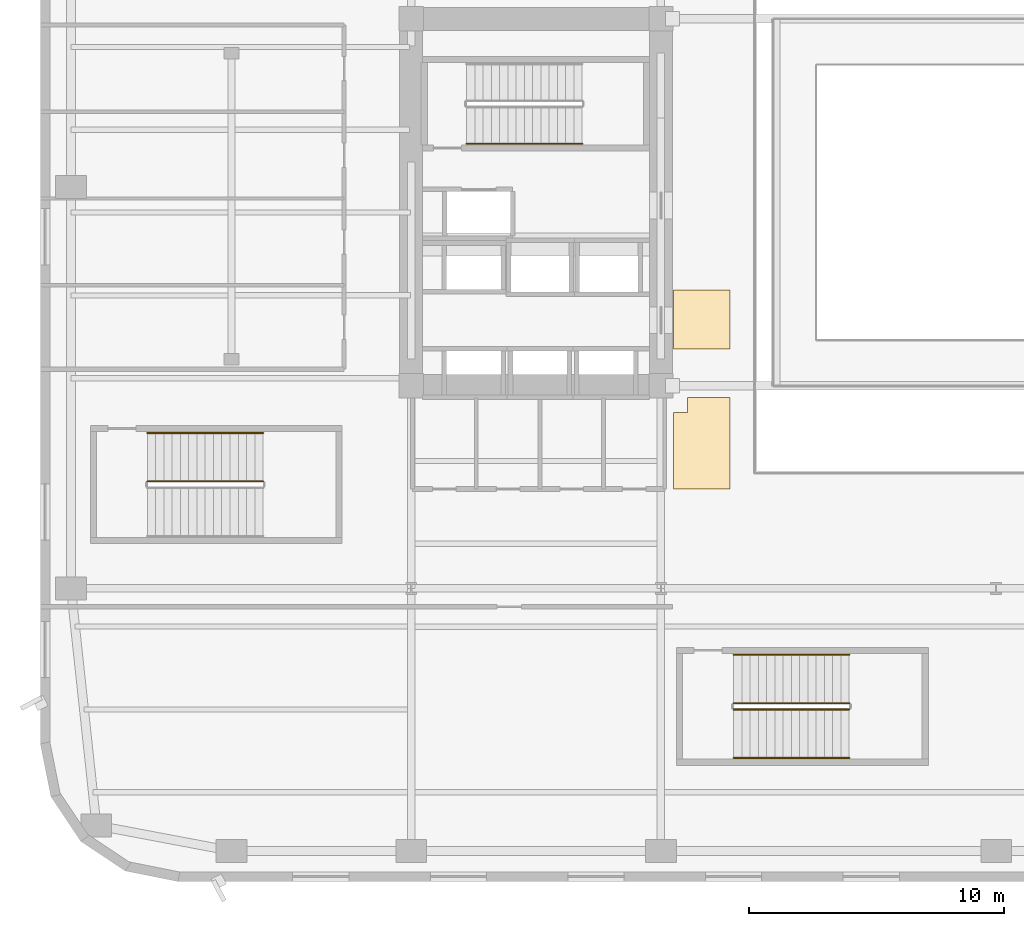
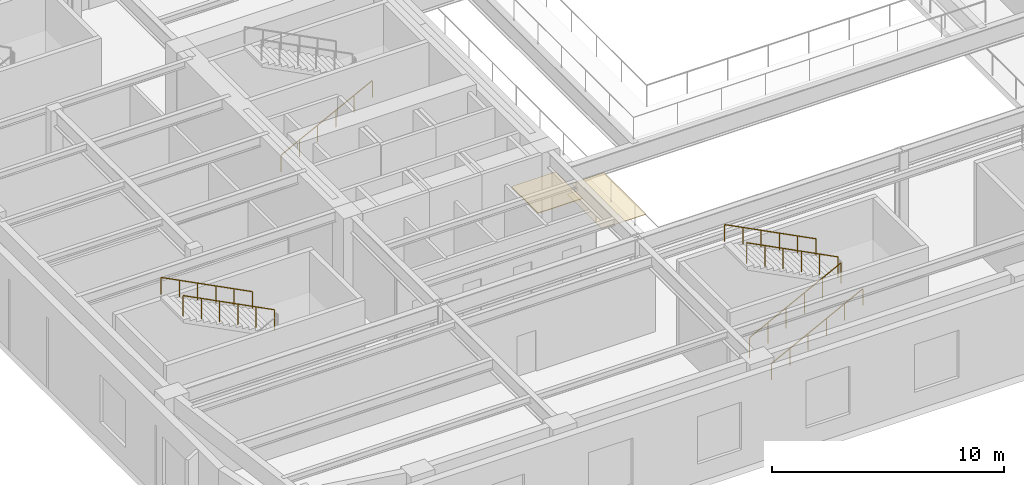
# One storey, part 13 of 21: 7 railings, 2 coverings.
"""IFC4 building model written with IfcOpenShell, lengths in metres."""

import ifcopenshell
import ifcopenshell.guid

model = None  # the IFC model being written
_history = None  # IfcOwnerHistory: only IFC2X3 demands one
_inside = {}  # id of a spatial element -> (the spatial element, [elements in it])
_under = {}  # id of a project, library or spatial element -> (it, [spatial elements below it])
_declared = {}  # id of a project -> (the project, [libraries it declares])
_typed = {}  # id of a type object -> (the type object, [elements of that type])
_made_of = {}  # id of a material, layer set ... -> (it, [elements and type objects made of it])


def new_model(schema):
    """Start an empty IFC model of exactly this schema.

    Asked for "IFC4X3", IfcOpenShell would pick the latest addendum, in which some entities
    have other attributes; the version numbers below select the first issue.
    IFC2X3 requires an IfcOwnerHistory on every rooted entity: one is made here for all.
    """
    global model, _history
    if schema == "IFC4X3":
        model = ifcopenshell.file(schema_version=(4, 3, 0, 0))
    else:
        model = ifcopenshell.file(schema=schema)
    _inside.clear()
    _under.clear()
    _declared.clear()
    _typed.clear()
    _made_of.clear()
    _history = None
    if model.schema == "IFC2X3":
        org = make("IfcOrganization", Name="unknown")
        user = make(
            "IfcPersonAndOrganization",
            ThePerson=make("IfcPerson", FamilyName="unknown"),
            TheOrganization=org,
        )
        app = make(
            "IfcApplication",
            ApplicationDeveloper=org,
            Version="unknown",
            ApplicationFullName="unknown",
            ApplicationIdentifier="unknown",
        )
        _history = make(
            "IfcOwnerHistory",
            OwningUser=user,
            OwningApplication=app,
            ChangeAction="ADDED",
            CreationDate=0,
        )
    return model


def make(cls, **values):
    """One entity of the class cls with the attributes given. An attribute that is None is left unset."""
    return model.create_entity(
        cls, **{name: value for name, value in values.items() if value is not None}
    )


def rooted(cls, **values):
    """An entity with a GlobalId (a new one), such as an element, a storey or a relation."""
    return make(cls, GlobalId=ifcopenshell.guid.new(), OwnerHistory=_history, **values)


def si_unit(unit_type, name, prefix=None):
    """IfcSIUnit, for example si_unit("LENGTHUNIT", "METRE", prefix="MILLI")."""
    return make("IfcSIUnit", UnitType=unit_type, Prefix=prefix, Name=name)


def assignment(units):
    """IfcUnitAssignment: the units of a project."""
    return None if units is None else make("IfcUnitAssignment", Units=units)


def point(xyz):
    """IfcCartesianPoint."""
    return None if xyz is None else make("IfcCartesianPoint", Coordinates=xyz)


def direction(xyz):
    """IfcDirection."""
    return None if xyz is None else make("IfcDirection", DirectionRatios=xyz)


def frame(location, z_axis=None, x_axis=None):
    """IfcAxis2Placement3D, a coordinate frame: its origin and axes. An axis left out is left unset."""
    return make(
        "IfcAxis2Placement3D",
        Location=point(location),
        Axis=direction(z_axis),
        RefDirection=direction(x_axis),
    )


def frame_2d(location, x_axis=None):
    """IfcAxis2Placement2D, a coordinate frame in the plane: its origin and x axis."""
    return make(
        "IfcAxis2Placement2D", Location=point(location), RefDirection=direction(x_axis)
    )


def origin():
    """The frame at (0, 0, 0) with its axes left unset."""
    return frame((0.0, 0.0, 0.0))


def origin_2d():
    """The frame at (0, 0) in the plane with its x axis left unset."""
    return frame_2d((0.0, 0.0))


def place(relative_to, where):
    """IfcLocalPlacement: puts the frame where relative to a parent placement (None: the world)."""
    return make(
        "IfcLocalPlacement", PlacementRelTo=relative_to, RelativePlacement=where
    )


def context(
    kind, dimensions, precision=None, world=None, true_north=None, identifier=None
):
    """IfcGeometricRepresentationContext, for example the 3D "Model" context."""
    return make(
        "IfcGeometricRepresentationContext",
        ContextIdentifier=identifier,
        ContextType=kind,
        CoordinateSpaceDimension=dimensions,
        Precision=precision,
        WorldCoordinateSystem=world,
        TrueNorth=true_north,
    )


def subcontext(parent, identifier, kind, view, scale=None):
    """IfcGeometricRepresentationSubContext, for example "Body" below "Model"."""
    return make(
        "IfcGeometricRepresentationSubContext",
        ContextIdentifier=identifier,
        ContextType=kind,
        ParentContext=parent,
        TargetScale=scale,
        TargetView=view,
    )


def project(units=None, contexts=None):
    """IfcProject with its units and contexts."""
    return rooted(
        "IfcProject",
        Name="project",
        RepresentationContexts=contexts,
        UnitsInContext=assignment(units),
    )


def spatial(cls, under=None, at=None, **own):
    """A site, building, storey or space (cls), placed at a placement, below another one or the project."""
    s = rooted(cls, ObjectPlacement=at, **own)
    if under is not None:
        _under.setdefault(under.id(), (under, []))[1].append(s)
    return s


def polyline(points):
    """IfcPolyline through the points."""
    return make("IfcPolyline", Points=[point(p) for p in points])


def profile(cls, at=None, kind="AREA", **sizes):
    """A parametric profile (cls). Its sizes go by their IFC names, for example OverallWidth=200.0."""
    return make(cls, ProfileType=kind, Position=at, **sizes)


def circle(**sizes):
    """IfcCircleProfileDef."""
    return profile("IfcCircleProfileDef", **sizes)


def outline(outer, holes=None, kind="AREA"):
    """IfcArbitraryClosedProfileDef: a profile drawn as a closed curve; with holes, ...WithVoids."""
    if holes is None:
        return make("IfcArbitraryClosedProfileDef", ProfileType=kind, OuterCurve=outer)
    return make(
        "IfcArbitraryProfileDefWithVoids",
        ProfileType=kind,
        OuterCurve=outer,
        InnerCurves=holes,
    )


def extrude(swept, where, along, depth):
    """IfcExtrudedAreaSolid: the profile swept, set in the frame where, extruded along a direction by depth."""
    return make(
        "IfcExtrudedAreaSolid",
        SweptArea=swept,
        Position=where,
        ExtrudedDirection=direction(along),
        Depth=depth,
    )


def shape(context_of_items, identifier, shape_type, items):
    """IfcShapeRepresentation: the items that make up one representation, for example the "Body"."""
    return make(
        "IfcShapeRepresentation",
        ContextOfItems=context_of_items,
        RepresentationIdentifier=identifier,
        RepresentationType=shape_type,
        Items=items,
    )


def material(Name=None, Category=None):
    """IfcMaterial."""
    return make("IfcMaterial", Name=Name, Category=Category)


def layer(
    of_material, thickness, ventilated=None, Name=None, Category=None, Priority=None
):
    """IfcMaterialLayer: one layer of a wall or slab, of a material (None: an air gap)."""
    return make(
        "IfcMaterialLayer",
        Material=of_material,
        LayerThickness=thickness,
        IsVentilated=ventilated,
        Name=Name,
        Category=Category,
        Priority=Priority,
    )


def layer_set(layers, Name=None):
    """IfcMaterialLayerSet."""
    return make("IfcMaterialLayerSet", MaterialLayers=layers, LayerSetName=Name)


def made_of(thing, what):
    """Note that an element or type object is made of a material, layer set ...; save() writes the relation."""
    if what is not None:
        _made_of.setdefault(what.id(), (what, []))[1].append(thing)
    return thing


def type_object(cls, material=None, **own):
    """A type object (cls), such as IfcWallType, which elements share."""
    return made_of(rooted(cls, **own), material)


def element(
    cls,
    number,
    at=None,
    inside=None,
    cuts=None,
    type_object=None,
    material=None,
    context=None,
    identifier="Body",
    shape_type=None,
    held_by="IfcProductDefinitionShape",
    body=None,
    shapes=None,
    **own,
):
    """One element of the class cls, such as IfcWall. Its Tag is "e" and its number.

    at: its placement. inside: the storey or other place that contains it. cuts: it is an
    opening in that element (IfcRelVoidsElement). A single representation is given by context,
    identifier, shape_type and body (its items); several are given by shapes. held_by: the class
    of the entity that holds the representations. save() writes the other relations.
    """
    e = rooted(cls, Tag="e%d" % number, ObjectPlacement=at, **own)
    if body is not None:
        shapes = [shape(context, identifier, shape_type, body)]
    if shapes is not None:
        e.Representation = make(held_by, Representations=shapes)
    if inside is not None:
        _inside.setdefault(inside.id(), (inside, []))[1].append(e)
    if cuts is not None:
        rooted(
            "IfcRelVoidsElement", RelatingBuildingElement=cuts, RelatedOpeningElement=e
        )
    if type_object is not None:
        _typed.setdefault(type_object.id(), (type_object, []))[1].append(e)
    return made_of(e, material)


def aggregate(whole, parts):
    """IfcRelAggregates: a whole, such as a stair, and the parts it consists of."""
    return rooted("IfcRelAggregates", RelatingObject=whole, RelatedObjects=parts)


def save(model, path):
    """Write the relations noted so far, then the file.

    IfcRelAggregates (storeys below a building ...), IfcRelContainedInSpatialStructure (elements
    in a storey), IfcRelDefinesByType, IfcRelAssociatesMaterial and IfcRelDeclares: one each for
    every whole, place, type object, material and project.
    """
    for whole, parts in _under.values():
        aggregate(whole, parts)
    for where, things in _inside.values():
        rooted(
            "IfcRelContainedInSpatialStructure",
            RelatedElements=things,
            RelatingStructure=where,
        )
    for kind, things in _typed.values():
        rooted("IfcRelDefinesByType", RelatedObjects=things, RelatingType=kind)
    for what, things in _made_of.values():
        rooted("IfcRelAssociatesMaterial", RelatedObjects=things, RelatingMaterial=what)
    for by, libraries in _declared.values():
        rooted("IfcRelDeclares", RelatingContext=by, RelatedDefinitions=libraries)
    model.write(path)


model = new_model("IFC4")

# Units and contexts
model_context = context("Model", 3, precision=1e-05, world=origin(), true_north=direction((0.0, 1.0)))
body_context = subcontext(model_context, "Body", "Model", "MODEL_VIEW")
ifc_project = project(units=[si_unit("LENGTHUNIT", "METRE"), si_unit("AREAUNIT", "SQUARE_METRE"), si_unit("VOLUMEUNIT", "CUBIC_METRE"), si_unit("PLANEANGLEUNIT", "RADIAN"), si_unit("MASSUNIT", "GRAM", prefix="KILO")], contexts=[model_context])

# Site, building, storey
site_placement = place(None, origin())
site = spatial("IfcSite", under=ifc_project, at=site_placement, CompositionType="ELEMENT")
building_placement = place(site_placement, origin())
building = spatial("IfcBuilding", under=site, at=building_placement, Name="Kolvaren Arena Tower", CompositionType="ELEMENT")
storey_placement = place(building_placement, frame((0.0, 0.0, 18.0)))
storey = spatial("IfcBuildingStorey", under=building, at=storey_placement, Name="L03", CompositionType="ELEMENT", Elevation=18.0)

# Coverings
ifc_material_1 = material(Name="Mineral fibre acoustic ceiling tile", Category="gypsum")
ifc_layer_1 = layer(ifc_material_1, 0.02490234375)
ifc_layer_set_1 = layer_set([ifc_layer_1], Name="Mineral fibre acoustic ceiling tile")
covering_type_1 = type_object("IfcCoveringType", Name="CEIL-ACT-1", PredefinedType="CEILING", material=ifc_layer_set_1)
covering_1_placement = place(storey_placement, frame((0.0, 0.0, 2.52001953125)))
element("IfcCovering", 1, at=covering_1_placement, inside=storey, type_object=covering_type_1, Name="Suspended Ceiling (L03)", PredefinedType="CEILING", context=body_context, shape_type="SweptSolid", body=[
    extrude(outline(polyline([(27.050048828125, 19.0), (27.050048828125, 15.39990234375), (24.85009765625, 15.39990234375), (24.85009765625, 18.39990234375), (25.39990234375, 18.39990234375), (25.39990234375, 19.0), (27.050048828125, 19.0)])), origin(), (0.0, 0.0, 1.0), 0.02490234375),
])
ifc_material_2 = material(Name="Polished granite terrazzo flooring", Category="masonry")
ifc_layer_2 = layer(ifc_material_2, 0.034912109375)
ifc_layer_set_2 = layer_set([ifc_layer_2], Name="Polished granite terrazzo flooring")
covering_type_2 = type_object("IfcCoveringType", Name="FLOR-TRZ-1", PredefinedType="FLOORING", material=ifc_layer_set_2)
covering_2_placement = place(storey_placement, origin())
element("IfcCovering", 2, at=covering_2_placement, inside=storey, type_object=covering_type_2, Name="Floor Finish (L03)", PredefinedType="FLOORING", context=body_context, shape_type="SweptSolid", body=[
    extrude(outline(polyline([(24.85009765625, 20.89990234375), (24.85009765625, 23.199951171875), (27.050048828125, 23.199951171875), (27.050048828125, 20.89990234375), (24.85009765625, 20.89990234375)])), origin(), (0.0, 0.0, 1.0), 0.034912109375),
])

# Railings
ifc_material_3 = material(Name="Painted galvanized steel", Category="steel")
railing_type_1 = type_object("IfcRailingType", Name="GUARD-ST-110", PredefinedType="GUARDRAIL", material=ifc_material_3)
railing_1_placement = place(storey_placement, frame((8.736083984375, 15.699951171875, 2.666748046875)))
element("IfcRailing", 3, at=railing_1_placement, inside=storey, type_object=railing_type_1, Name="L03 ST-A1 stair guard 3", PredefinedType="GUARDRAIL", context=body_context, shape_type="SweptSolid", body=[
    extrude(circle(Radius=0.02392578125, at=origin_2d()), frame((0.0, 0.0, 1.076171875), z_axis=(-0.889257211316, 0.0, 0.457407490234), x_axis=(0.0, -1.0, 0.0)), (0.0, 0.0, 1.0), 5.10107421875),
    extrude(circle(Radius=0.02099609375, at=origin_2d()), origin(), (0.0, 0.0, 1.0), 1.052001953125),
    extrude(circle(Radius=0.02099609375, at=origin_2d()), frame((-0.9072265625, 0.0, 0.466552734375)), (0.0, 0.0, 1.0), 1.052001953125),
    extrude(circle(Radius=0.02099609375, at=origin_2d()), frame((-1.814453125, 0.0, 0.933349609375)), (0.0, 0.0, 1.0), 1.052001953125),
    extrude(circle(Radius=0.02099609375, at=origin_2d()), frame((-2.7216796875, 0.0, 1.39990234375)), (0.0, 0.0, 1.0), 1.052001953125),
    extrude(circle(Radius=0.02099609375, at=origin_2d()), frame((-3.62890625, 0.0, 1.86669921875)), (0.0, 0.0, 1.0), 1.052001953125),
    extrude(circle(Radius=0.02099609375, at=origin_2d()), frame((-4.5361328125, 0.0, 2.333251953125)), (0.0, 0.0, 1.0), 1.052001953125),
])
railing_2_placement = place(storey_placement, frame((27.199951171875, 6.75, 0.166748046875)))
element("IfcRailing", 4, at=railing_2_placement, inside=storey, type_object=railing_type_1, Name="L03 ST-A2 stair guard 1", PredefinedType="GUARDRAIL", context=body_context, shape_type="SweptSolid", body=[
    extrude(circle(Radius=0.02392578125, at=origin_2d()), frame((0.0, 0.0, 1.076171875), z_axis=(0.889257211316, 0.0, 0.457407490234), x_axis=(0.0, 1.0, 0.0)), (0.0, 0.0, 1.0), 5.10107421875),
    extrude(circle(Radius=0.02099609375, at=origin_2d()), origin(), (0.0, 0.0, 1.0), 1.052001953125),
    extrude(circle(Radius=0.02099609375, at=origin_2d()), frame((0.9072265625, 0.0, 0.466552734375)), (0.0, 0.0, 1.0), 1.052001953125),
    extrude(circle(Radius=0.02099609375, at=origin_2d()), frame((1.814453125, 0.0, 0.933349609375)), (0.0, 0.0, 1.0), 1.052001953125),
    extrude(circle(Radius=0.02099609375, at=origin_2d()), frame((2.7216796875, 0.0, 1.39990234375)), (0.0, 0.0, 1.0), 1.052001953125),
    extrude(circle(Radius=0.02099609375, at=origin_2d()), frame((3.62890625, 0.0, 1.86669921875)), (0.0, 0.0, 1.0), 1.052001953125),
    extrude(circle(Radius=0.02099609375, at=origin_2d()), frame((4.5361328125, 0.0, 2.333251953125)), (0.0, 0.0, 1.0), 1.052001953125),
])
railing_3_placement = place(storey_placement, frame((31.736083984375, 7.0, 2.666748046875)))
element("IfcRailing", 5, at=railing_3_placement, inside=storey, type_object=railing_type_1, Name="L03 ST-A2 stair guard 3", PredefinedType="GUARDRAIL", context=body_context, shape_type="SweptSolid", body=[
    extrude(circle(Radius=0.02392578125, at=origin_2d()), frame((0.0, 0.0, 1.076171875), z_axis=(-0.889257211316, 0.0, 0.457407490234), x_axis=(0.0, -1.0, 0.0)), (0.0, 0.0, 1.0), 5.10107421875),
    extrude(circle(Radius=0.02099609375, at=origin_2d()), origin(), (0.0, 0.0, 1.0), 1.052001953125),
    extrude(circle(Radius=0.02099609375, at=origin_2d()), frame((-0.9072265625, 0.0, 0.466552734375)), (0.0, 0.0, 1.0), 1.052001953125),
    extrude(circle(Radius=0.02099609375, at=origin_2d()), frame((-1.814453125, 0.0, 0.933349609375)), (0.0, 0.0, 1.0), 1.052001953125),
    extrude(circle(Radius=0.02099609375, at=origin_2d()), frame((-2.7216796875, 0.0, 1.39990234375)), (0.0, 0.0, 1.0), 1.052001953125),
    extrude(circle(Radius=0.02099609375, at=origin_2d()), frame((-3.62890625, 0.0, 1.86669921875)), (0.0, 0.0, 1.0), 1.052001953125),
    extrude(circle(Radius=0.02099609375, at=origin_2d()), frame((-4.5361328125, 0.0, 2.333251953125)), (0.0, 0.0, 1.0), 1.052001953125),
])
ifc_material_4 = material(Name="Brushed stainless steel handrail", Category="steel")
railing_type_2 = type_object("IfcRailingType", Name="HRAIL-900", PredefinedType="HANDRAIL", material=ifc_material_4)
railing_4_placement = place(storey_placement, frame((16.719970703125, 28.949951171875, 0.166748046875)))
element("IfcRailing", 6, at=railing_4_placement, inside=storey, type_object=railing_type_2, Name="L03 ST-W1 stair handrail 1", PredefinedType="HANDRAIL", context=body_context, shape_type="SweptSolid", body=[
    extrude(circle(Radius=0.02392578125, at=origin_2d()), frame((0.0, 0.0, 0.8759765625), z_axis=(0.889257211316, 0.0, 0.457407490234), x_axis=(0.0, 1.0, 0.0)), (0.0, 0.0, 1.0), 5.10107421875),
    extrude(circle(Radius=0.02099609375, at=origin_2d()), origin(), (0.0, 0.0, 1.0), 0.851806640625),
    extrude(circle(Radius=0.02099609375, at=origin_2d()), frame((0.9072265625, 0.0, 0.466552734375)), (0.0, 0.0, 1.0), 0.851806640625),
    extrude(circle(Radius=0.02099609375, at=origin_2d()), frame((1.814453125, 0.0, 0.933349609375)), (0.0, 0.0, 1.0), 0.851806640625),
    extrude(circle(Radius=0.02099609375, at=origin_2d()), frame((2.7216796875, 0.0, 1.39990234375)), (0.0, 0.0, 1.0), 0.851806640625),
    extrude(circle(Radius=0.02099609375, at=origin_2d()), frame((3.62890625, 0.0, 1.86669921875)), (0.0, 0.0, 1.0), 0.851806640625),
    extrude(circle(Radius=0.02099609375, at=origin_2d()), frame((4.5361328125, 0.0, 2.333251953125)), (0.0, 0.0, 1.0), 0.851806640625),
])
railing_5_placement = place(storey_placement, frame((8.736083984375, 17.60009765625, 2.666748046875)))
element("IfcRailing", 7, at=railing_5_placement, inside=storey, type_object=railing_type_2, Name="L03 ST-A1 stair handrail 2", PredefinedType="HANDRAIL", context=body_context, shape_type="SweptSolid", body=[
    extrude(circle(Radius=0.02392578125, at=origin_2d()), frame((0.0, 0.0, 0.8759765625), z_axis=(-0.889257211316, 0.0, 0.457407490234), x_axis=(0.0, -1.0, 0.0)), (0.0, 0.0, 1.0), 5.10107421875),
    extrude(circle(Radius=0.02099609375, at=origin_2d()), origin(), (0.0, 0.0, 1.0), 0.851806640625),
    extrude(circle(Radius=0.02099609375, at=origin_2d()), frame((-0.9072265625, 0.0, 0.466552734375)), (0.0, 0.0, 1.0), 0.851806640625),
    extrude(circle(Radius=0.02099609375, at=origin_2d()), frame((-1.814453125, 0.0, 0.933349609375)), (0.0, 0.0, 1.0), 0.851806640625),
    extrude(circle(Radius=0.02099609375, at=origin_2d()), frame((-2.7216796875, 0.0, 1.39990234375)), (0.0, 0.0, 1.0), 0.851806640625),
    extrude(circle(Radius=0.02099609375, at=origin_2d()), frame((-3.62890625, 0.0, 1.86669921875)), (0.0, 0.0, 1.0), 0.851806640625),
    extrude(circle(Radius=0.02099609375, at=origin_2d()), frame((-4.5361328125, 0.0, 2.333251953125)), (0.0, 0.0, 1.0), 0.851806640625),
])
railing_6_placement = place(storey_placement, frame((27.199951171875, 4.85009765625, 0.166748046875)))
element("IfcRailing", 8, at=railing_6_placement, inside=storey, type_object=railing_type_2, Name="L03 ST-A2 stair handrail 1", PredefinedType="HANDRAIL", context=body_context, shape_type="SweptSolid", body=[
    extrude(circle(Radius=0.02392578125, at=origin_2d()), frame((0.0, 0.0, 0.8759765625), z_axis=(0.889257211316, 0.0, 0.457407490234), x_axis=(0.0, 1.0, 0.0)), (0.0, 0.0, 1.0), 5.10107421875),
    extrude(circle(Radius=0.02099609375, at=origin_2d()), origin(), (0.0, 0.0, 1.0), 0.851806640625),
    extrude(circle(Radius=0.02099609375, at=origin_2d()), frame((0.9072265625, 0.0, 0.466552734375)), (0.0, 0.0, 1.0), 0.851806640625),
    extrude(circle(Radius=0.02099609375, at=origin_2d()), frame((1.814453125, 0.0, 0.933349609375)), (0.0, 0.0, 1.0), 0.851806640625),
    extrude(circle(Radius=0.02099609375, at=origin_2d()), frame((2.7216796875, 0.0, 1.39990234375)), (0.0, 0.0, 1.0), 0.851806640625),
    extrude(circle(Radius=0.02099609375, at=origin_2d()), frame((3.62890625, 0.0, 1.86669921875)), (0.0, 0.0, 1.0), 0.851806640625),
    extrude(circle(Radius=0.02099609375, at=origin_2d()), frame((4.5361328125, 0.0, 2.333251953125)), (0.0, 0.0, 1.0), 0.851806640625),
])
railing_7_placement = place(storey_placement, frame((31.736083984375, 8.89990234375, 2.666748046875)))
element("IfcRailing", 9, at=railing_7_placement, inside=storey, type_object=railing_type_2, Name="L03 ST-A2 stair handrail 2", PredefinedType="HANDRAIL", context=body_context, shape_type="SweptSolid", body=[
    extrude(circle(Radius=0.02392578125, at=origin_2d()), frame((0.0, 0.0, 0.8759765625), z_axis=(-0.889257211316, 0.0, 0.457407490234), x_axis=(0.0, -1.0, 0.0)), (0.0, 0.0, 1.0), 5.10107421875),
    extrude(circle(Radius=0.02099609375, at=origin_2d()), origin(), (0.0, 0.0, 1.0), 0.851806640625),
    extrude(circle(Radius=0.02099609375, at=origin_2d()), frame((-0.9072265625, 0.0, 0.466552734375)), (0.0, 0.0, 1.0), 0.851806640625),
    extrude(circle(Radius=0.02099609375, at=origin_2d()), frame((-1.814453125, 0.0, 0.933349609375)), (0.0, 0.0, 1.0), 0.851806640625),
    extrude(circle(Radius=0.02099609375, at=origin_2d()), frame((-2.7216796875, 0.0, 1.39990234375)), (0.0, 0.0, 1.0), 0.851806640625),
    extrude(circle(Radius=0.02099609375, at=origin_2d()), frame((-3.62890625, 0.0, 1.86669921875)), (0.0, 0.0, 1.0), 0.851806640625),
    extrude(circle(Radius=0.02099609375, at=origin_2d()), frame((-4.5361328125, 0.0, 2.333251953125)), (0.0, 0.0, 1.0), 0.851806640625),
])

save(model, "model.ifc")
